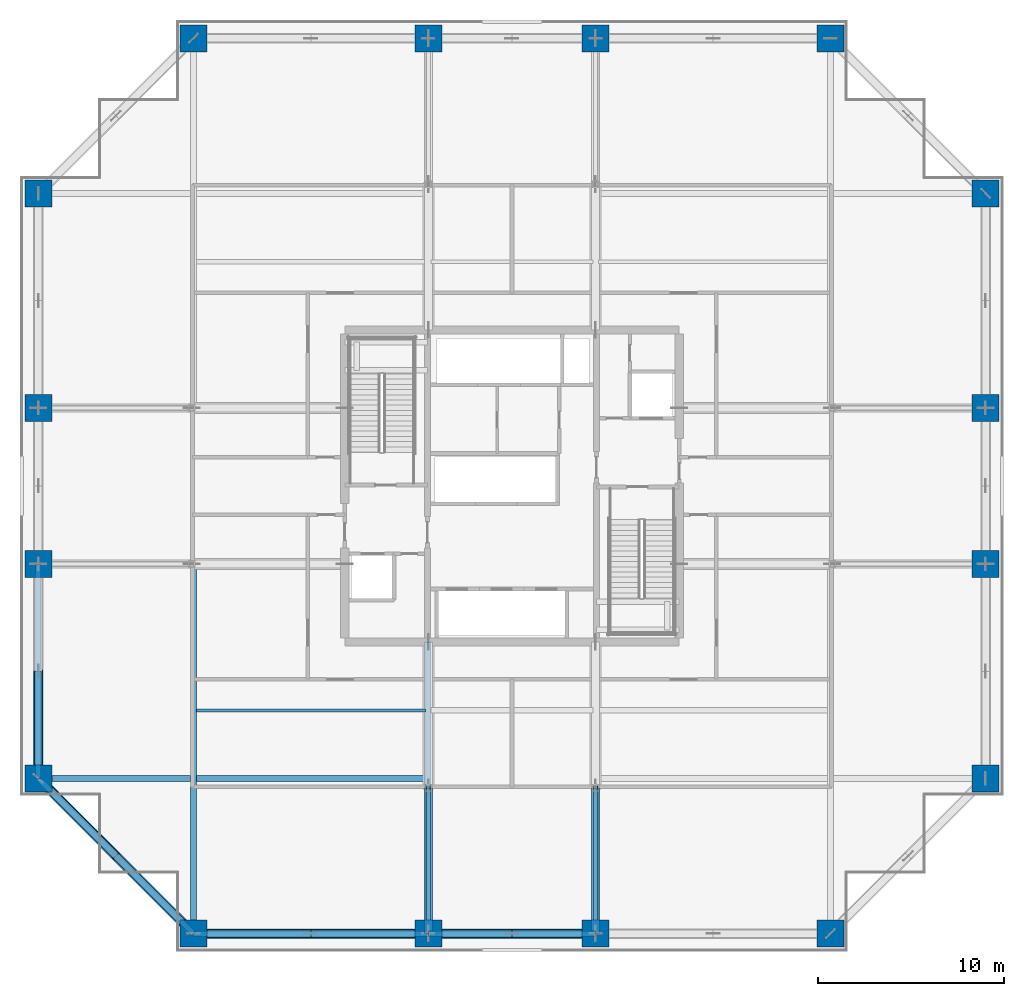
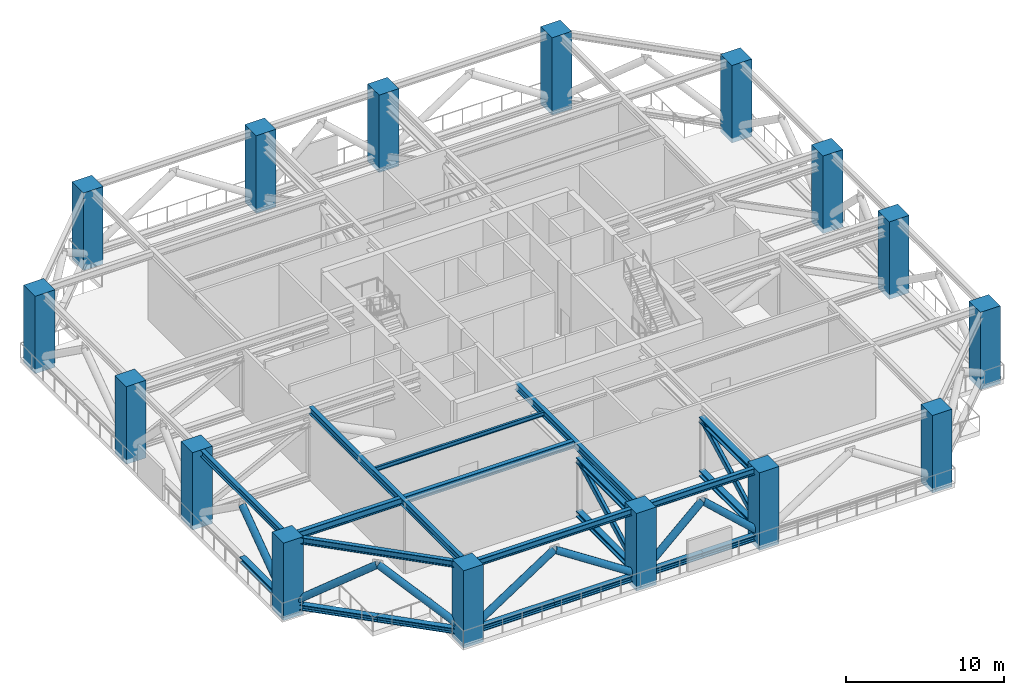
# One storey, part 1 of 21: 20 members, 16 columns, 8 beams.
"""IFC4 building model written with IfcOpenShell, lengths in metres."""

from ifc_helpers import new_model, si_unit, direction, frame, origin, origin_2d, place, context, subcontext, project, spatial, rectangle, hollow_rectangle, hollow_circle, i_section, extrude, source, transform, mapped, material, material_profile, profile_set, type_object, element, save


model = new_model("IFC4")

# Units and contexts
model_context = context("Model", 3, precision=1e-05, world=origin(), true_north=direction((0.0, 1.0)))
body_context = subcontext(model_context, "Body", "Model", "MODEL_VIEW")
ifc_project = project(units=[si_unit("LENGTHUNIT", "METRE"), si_unit("AREAUNIT", "SQUARE_METRE"), si_unit("VOLUMEUNIT", "CUBIC_METRE"), si_unit("PLANEANGLEUNIT", "RADIAN"), si_unit("MASSUNIT", "GRAM", prefix="KILO")], contexts=[model_context])

# Site, building, storey
site_placement = place(None, origin())
site = spatial("IfcSite", under=ifc_project, at=site_placement, CompositionType="ELEMENT")
building_placement = place(site_placement, origin())
building = spatial("IfcBuilding", under=site, at=building_placement, Name="Serunith Strait Residences", CompositionType="ELEMENT")
storey_placement = place(building_placement, frame((0.0, 0.0, 109.199951171875)))
storey = spatial("IfcBuildingStorey", under=building, at=storey_placement, Name="L27", CompositionType="ELEMENT", Elevation=109.199951171875)

# Columns
ifc_material_1 = material(Name="Concrete C90/105", Category="concrete")
ifc_material_profile_1 = material_profile(ifc_material_1, rectangle(XDim=1.449951171875, YDim=1.449951171875, at=origin_2d()), Name="RC 1450x1450")
ifc_profile_set_1 = profile_set([ifc_material_profile_1], Name="Concrete C90/105")
column_type = type_object("IfcColumnType", Name="COL-RC-1450", PredefinedType="COLUMN", material=ifc_profile_set_1)
shared_shape_1 = source(origin(), body_context, "Body", "SweptSolid", [
    extrude(rectangle(XDim=1.449951171875, YDim=1.449951171875, at=origin_2d()), origin(), (0.0, 0.0, 1.0), 6.0),
])
for number, where, z_axis, x_axis, name in (
    (1, (15.25, 1.10009765625, -0.35986328125), (0.0, 0.0, 1.0), (1.0, 0.0, 0.0), "L27 Tower Mega-Column TC-S1"),
    (2, (27.89990234375, 1.10009765625, -0.35986328125), (0.0, 0.0, 1.0), (1.0, 0.0, 0.0), "L27 Tower Mega-Column TC-S2"),
    (3, (36.89990234375, 1.10009765625, -0.35986328125), (0.0, 0.0, 1.0), (1.0, 0.0, 0.0), "L27 Tower Mega-Column TC-S3"),
    (4, (49.550048828125, 1.10009765625, -0.35986328125), (0.0, 0.0, 1.0), (1.0, 0.0, 0.0), "L27 Tower Mega-Column TC-S4"),
    (5, (15.25, 49.300048828125, -0.35986328125), (0.0, 0.0, 1.0), (1.0, 0.0, 0.0), "L27 Tower Mega-Column TC-N1"),
    (6, (27.89990234375, 49.300048828125, -0.35986328125), (0.0, 0.0, 1.0), (1.0, 0.0, 0.0), "L27 Tower Mega-Column TC-N2"),
    (7, (36.89990234375, 49.300048828125, -0.35986328125), (0.0, 0.0, 1.0), (1.0, 0.0, 0.0), "L27 Tower Mega-Column TC-N3"),
    (8, (49.550048828125, 49.300048828125, -0.35986328125), (0.0, 0.0, 1.0), (1.0, 0.0, 0.0), "L27 Tower Mega-Column TC-N4"),
    (9, (57.89990234375, 9.449951171875, -0.35986328125), (0.0, 0.0, 1.0), (1.0, 0.0, 0.0), "L27 Tower Mega-Column TC-E1"),
    (10, (57.89990234375, 21.0, -0.35986328125), (0.0, 0.0, 1.0), (1.0, 0.0, 0.0), "L27 Tower Mega-Column TC-E2"),
    (11, (57.89990234375, 29.39990234375, -0.35986328125), (0.0, 0.0, 1.0), (1.0, 0.0, 0.0), "L27 Tower Mega-Column TC-E3"),
    (12, (57.89990234375, 40.949951171875, -0.35986328125), (0.0, 0.0, 1.0), (1.0, 0.0, 0.0), "L27 Tower Mega-Column TC-E4"),
    (13, (6.89990234375, 9.449951171875, -0.35986328125), (0.0, 0.0, 1.0), (1.0, 0.0, 0.0), "L27 Tower Mega-Column TC-W1"),
    (14, (6.89990234375, 21.0, -0.35986328125), (0.0, 0.0, 1.0), (1.0, 0.0, 0.0), "L27 Tower Mega-Column TC-W2"),
    (15, (6.89990234375, 29.39990234375, -0.35986328125), (0.0, 0.0, 1.0), (1.0, 0.0, 0.0), "L27 Tower Mega-Column TC-W3"),
    (16, (6.89990234375, 40.949951171875, -0.35986328125), (0.0, 0.0, 1.0), (1.0, 0.0, 0.0), "L27 Tower Mega-Column TC-W4"),
):
    element("IfcColumn", number, at=place(storey_placement, frame(where, z_axis=z_axis, x_axis=x_axis)), inside=storey, type_object=column_type, Name=name, PredefinedType="COLUMN", context=body_context, shape_type="MappedRepresentation", body=[
        mapped(shared_shape_1, transform((0.0, 0.0, 0.0), scale=1.0)),
    ])

# Beams
ifc_material_2 = material(Name="Steel S355J2", Category="steel")
ifc_material_profile_2 = material_profile(ifc_material_2, i_section(OverallWidth=0.300048828125, OverallDepth=0.550048828125, WebThickness=0.014892578125, FlangeThickness=0.029052734375, FilletRadius=0.027099609375, at=origin_2d()), Name="HEB 550")
ifc_profile_set_2 = profile_set([ifc_material_profile_2], Name="Steel S355J2")
beam_type_1 = type_object("IfcBeamType", Name="BM-HEB550", PredefinedType="BEAM", material=ifc_profile_set_2)
shared_shape_2 = source(origin(), body_context, "Body", "SweptSolid", [
    extrude(i_section(OverallWidth=0.300048828125, OverallDepth=0.550048828125, WebThickness=0.014892578125, FlangeThickness=0.029052734375, FilletRadius=0.027099609375, at=origin_2d()), origin(), (0.0, 0.0, 1.0), 15.699951171875),
])
beam_1_placement = place(storey_placement, frame((27.89990234375, 16.800048828125, 5.362060546875), z_axis=(0.0, -1.0, 0.0), x_axis=(1.0, 0.0, 0.0)))
element("IfcBeam", 17, at=beam_1_placement, inside=storey, type_object=beam_type_1, Name="L27 Primary Floor Girder TC-S2", PredefinedType="BEAM", context=body_context, shape_type="MappedRepresentation", body=[
    mapped(shared_shape_2, transform((0.0, 0.0, 0.0), scale=1.0)),
])
shared_shape_3 = source(origin(), body_context, "Body", "SweptSolid", [
    extrude(i_section(OverallWidth=0.300048828125, OverallDepth=0.550048828125, WebThickness=0.014892578125, FlangeThickness=0.029052734375, FilletRadius=0.027099609375, at=origin_2d()), origin(), (0.0, 0.0, 1.0), 19.89990234375),
])
beam_2_placement = place(storey_placement, frame((15.25, 21.0, 5.362060546875), z_axis=(0.0, -1.0, 0.0), x_axis=(1.0, 0.0, 0.0)))
element("IfcBeam", 18, at=beam_2_placement, inside=storey, type_object=beam_type_1, Name="L27 Orthogonal Corner Girder TC-S1", PredefinedType="BEAM", context=body_context, shape_type="MappedRepresentation", body=[
    mapped(shared_shape_3, transform((0.0, 0.0, 0.0), scale=1.0)),
])
shared_shape_4 = source(origin(), body_context, "Body", "SweptSolid", [
    extrude(i_section(OverallWidth=0.300048828125, OverallDepth=0.550048828125, WebThickness=0.014892578125, FlangeThickness=0.029052734375, FilletRadius=0.027099609375, at=origin_2d()), origin(), (0.0, 0.0, 1.0), 21.0),
])
beam_3_placement = place(storey_placement, frame((27.89990234375, 9.449951171875, 5.362060546875), z_axis=(-1.0, 0.0, 0.0), x_axis=(0.0, -1.0, 0.0)))
element("IfcBeam", 19, at=beam_3_placement, inside=storey, type_object=beam_type_1, Name="L27 Orthogonal Corner Girder TC-W1", PredefinedType="BEAM", context=body_context, shape_type="MappedRepresentation", body=[
    mapped(shared_shape_4, transform((0.0, 0.0, 0.0), scale=1.0)),
])
ifc_material_profile_3 = material_profile(ifc_material_2, i_section(OverallWidth=0.300048828125, OverallDepth=0.5, WebThickness=0.014404296875, FlangeThickness=0.028076171875, FilletRadius=0.027099609375, at=origin_2d()), Name="HEB 500")
ifc_profile_set_3 = profile_set([ifc_material_profile_3], Name="Steel S355J2")
beam_type_2 = type_object("IfcBeamType", Name="BM-HEB500", PredefinedType="BEAM", material=ifc_profile_set_3)
shared_shape_5 = source(origin(), body_context, "Body", "SweptSolid", [
    extrude(i_section(OverallWidth=0.300048828125, OverallDepth=0.5, WebThickness=0.014404296875, FlangeThickness=0.028076171875, FilletRadius=0.027099609375, at=origin_2d()), origin(), (0.0, 0.0, 1.0), 12.64990234375),
])
beam_4_placement = place(storey_placement, frame((15.25, 1.10009765625, 5.386962890625), z_axis=(1.0, 0.0, 0.0), x_axis=(0.0, 1.0, 0.0)))
element("IfcBeam", 20, at=beam_4_placement, inside=storey, type_object=beam_type_2, Name="L27 Perimeter Ring Beam 01", PredefinedType="BEAM", context=body_context, shape_type="MappedRepresentation", body=[
    mapped(shared_shape_5, transform((0.0, 0.0, 0.0), scale=1.0)),
])
shared_shape_6 = source(origin(), body_context, "Body", "SweptSolid", [
    extrude(i_section(OverallWidth=0.300048828125, OverallDepth=0.5, WebThickness=0.014404296875, FlangeThickness=0.028076171875, FilletRadius=0.027099609375, at=origin_2d()), origin(), (0.0, 0.0, 1.0), 9.0),
])
beam_5_placement = place(storey_placement, frame((27.89990234375, 1.10009765625, 5.386962890625), z_axis=(1.0, 0.0, 0.0), x_axis=(0.0, 1.0, 0.0)))
element("IfcBeam", 21, at=beam_5_placement, inside=storey, type_object=beam_type_2, Name="L27 Perimeter Ring Beam 02", PredefinedType="BEAM", context=body_context, shape_type="MappedRepresentation", body=[
    mapped(shared_shape_6, transform((0.0, 0.0, 0.0), scale=1.0)),
])
shared_shape_7 = source(origin(), body_context, "Body", "SweptSolid", [
    extrude(i_section(OverallWidth=0.300048828125, OverallDepth=0.5, WebThickness=0.014404296875, FlangeThickness=0.028076171875, FilletRadius=0.027099609375, at=origin_2d()), origin(), (0.0, 0.0, 1.0), 11.80859375),
])
beam_6_placement = place(storey_placement, frame((6.89990234375, 9.449951171875, 5.386962890625), z_axis=(0.707117118476, -0.707096443746, 0.0), x_axis=(0.707096443746, 0.707117118476, 0.0)))
element("IfcBeam", 22, at=beam_6_placement, inside=storey, type_object=beam_type_2, Name="L27 Perimeter Ring Beam 16", PredefinedType="BEAM", context=body_context, shape_type="MappedRepresentation", body=[
    mapped(shared_shape_7, transform((0.0, 0.0, 0.0), scale=1.0)),
])
shared_shape_8 = source(origin(), body_context, "Body", "SweptSolid", [
    extrude(i_section(OverallWidth=0.300048828125, OverallDepth=0.5, WebThickness=0.014404296875, FlangeThickness=0.028076171875, FilletRadius=0.027099609375, at=origin_2d()), origin(), (0.0, 0.0, 1.0), 11.550048828125),
])
beam_7_placement = place(storey_placement, frame((6.89990234375, 21.0, 5.386962890625), z_axis=(0.0, -1.0, 0.0), x_axis=(1.0, 0.0, 0.0)))
element("IfcBeam", 23, at=beam_7_placement, inside=storey, type_object=beam_type_2, Name="L27 Perimeter Ring Beam 15", PredefinedType="BEAM", context=body_context, shape_type="MappedRepresentation", body=[
    mapped(shared_shape_8, transform((0.0, 0.0, 0.0), scale=1.0)),
])
ifc_material_profile_4 = material_profile(ifc_material_2, i_section(OverallWidth=0.159912109375, OverallDepth=0.330078125, WebThickness=0.007568359375, FlangeThickness=0.011474609375, FilletRadius=0.01806640625, at=origin_2d()), Name="IPE 330")
ifc_profile_set_4 = profile_set([ifc_material_profile_4], Name="Steel S355J2")
beam_type_3 = type_object("IfcBeamType", Name="BM-IPE330", PredefinedType="JOIST", material=ifc_profile_set_4)
shared_shape_9 = source(origin(), body_context, "Body", "SweptSolid", [
    extrude(i_section(OverallWidth=0.159912109375, OverallDepth=0.330078125, WebThickness=0.007568359375, FlangeThickness=0.011474609375, FilletRadius=0.01806640625, at=origin_2d()), origin(), (0.0, 0.0, 1.0), 12.35009765625),
])
beam_8_placement = place(storey_placement, frame((15.39990234375, 13.125, 5.47216796875), z_axis=(1.0, 0.0, 0.0), x_axis=(0.0, 1.0, 0.0)))
element("IfcBeam", 24, at=beam_8_placement, inside=storey, type_object=beam_type_3, Name="L27 Composite Floor Joist 01", PredefinedType="JOIST", context=body_context, shape_type="MappedRepresentation", body=[
    mapped(shared_shape_9, transform((0.0, 0.0, 0.0), scale=1.0)),
])

# Members
ifc_material_3 = material(Name="Steel S460M", Category="steel")
ifc_material_profile_5 = material_profile(ifc_material_3, i_section(OverallWidth=0.41796875, OverallDepth=0.455078125, WebThickness=0.0419921875, FlangeThickness=0.067626953125, FilletRadius=0.014892578125, at=origin_2d()), Name="HD 400x551")
ifc_profile_set_5 = profile_set([ifc_material_profile_5], Name="Steel S460M")
member_type_1 = type_object("IfcMemberType", Name="MBR-CHORD-HD551", PredefinedType="CHORD", material=ifc_profile_set_5)
shared_shape_10 = source(origin(), body_context, "Body", "SweptSolid", [
    extrude(i_section(OverallWidth=0.41796875, OverallDepth=0.455078125, WebThickness=0.0419921875, FlangeThickness=0.067626953125, FilletRadius=0.014892578125, at=origin_2d()), origin(), (0.0, 0.0, 1.0), 7.849853515625),
])
for number, where, z_axis, x_axis, name in (
    (25, (27.89990234375, 8.949951171875, 0.25), (0.0, -1.0, 0.0), (1.0, 0.0, 0.0), "L27 Outrigger Arm 1 Bottom Chord 2"),
    (26, (27.89990234375, 8.949951171875, 4.39013671875), (0.0, -1.0, 0.0), (1.0, 0.0, 0.0), "L27 Outrigger Arm 1 Top Chord 2"),
    (27, (36.89990234375, 8.949951171875, 0.25), (0.0, -1.0, 0.0), (1.0, 0.0, 0.0), "L27 Outrigger Arm 2 Bottom Chord 2"),
    (28, (36.89990234375, 8.949951171875, 4.39013671875), (0.0, -1.0, 0.0), (1.0, 0.0, 0.0), "L27 Outrigger Arm 2 Top Chord 2"),
):
    element("IfcMember", number, at=place(storey_placement, frame(where, z_axis=z_axis, x_axis=x_axis)), inside=storey, type_object=member_type_1, Name=name, PredefinedType="CHORD", context=body_context, shape_type="MappedRepresentation", body=[
        mapped(shared_shape_10, transform((0.0, 0.0, 0.0), scale=1.0)),
    ])
ifc_material_profile_6 = material_profile(ifc_material_3, hollow_rectangle(XDim=0.25, YDim=0.449951171875, WallThickness=0.01611328125, InnerFilletRadius=0.02392578125, OuterFilletRadius=0.0400390625, at=origin_2d()), Name="RHS 450x250x16")
ifc_profile_set_6 = profile_set([ifc_material_profile_6], Name="Steel S460M")
member_type_2 = type_object("IfcMemberType", Name="MBR-BRACE-RHS450", PredefinedType="BRACE", material=ifc_profile_set_6)
shared_shape_11 = source(origin(), body_context, "Body", "SweptSolid", [
    extrude(hollow_rectangle(XDim=0.25, YDim=0.449951171875, WallThickness=0.01611328125, InnerFilletRadius=0.02392578125, OuterFilletRadius=0.0400390625, at=origin_2d()), origin(), (0.0, 0.0, 1.0), 8.874755859375),
])
for number, where, z_axis, x_axis, name in (
    (29, (27.89990234375, 8.949951171875, 4.39013671875), (0.0, -0.884516886434, -0.466508175291), (1.0, 0.0, 0.0), "L27 Outrigger Arm 1 Outer Diagonal"),
    (30, (36.89990234375, 8.949951171875, 4.39013671875), (0.0, -0.884516886434, -0.466508175291), (1.0, 0.0, 0.0), "L27 Outrigger Arm 2 Outer Diagonal"),
):
    element("IfcMember", number, at=place(storey_placement, frame(where, z_axis=z_axis, x_axis=x_axis)), inside=storey, type_object=member_type_2, Name=name, PredefinedType="BRACE", context=body_context, shape_type="MappedRepresentation", body=[
        mapped(shared_shape_11, transform((0.0, 0.0, 0.0), scale=1.0)),
    ])
ifc_material_profile_7 = material_profile(ifc_material_3, i_section(OverallWidth=0.406005859375, OverallDepth=0.416015625, WebThickness=0.02978515625, FlangeThickness=0.048095703125, FilletRadius=0.014892578125, at=origin_2d()), Name="HD 400x382")
ifc_profile_set_7 = profile_set([ifc_material_profile_7], Name="Steel S460M")
member_type_3 = type_object("IfcMemberType", Name="MBR-CHORD-HD382", PredefinedType="CHORD", material=ifc_profile_set_7)
shared_shape_12 = source(origin(), body_context, "Body", "SweptSolid", [
    extrude(i_section(OverallWidth=0.406005859375, OverallDepth=0.416015625, WebThickness=0.02978515625, FlangeThickness=0.048095703125, FilletRadius=0.014892578125, at=origin_2d()), origin(), (0.0, 0.0, 1.0), 6.324951171875),
])
for number, where, z_axis, x_axis, name in (
    (31, (15.25, 1.10009765625, 0.25), (1.0, 0.0, 0.0), (0.0, 1.0, 0.0), "L27 Belt Truss Bay 01 Chord A"),
    (32, (21.574951171875, 1.10009765625, 0.25), (1.0, 0.0, 0.0), (0.0, 1.0, 0.0), "L27 Belt Truss Bay 01 Chord B"),
):
    element("IfcMember", number, at=place(storey_placement, frame(where, z_axis=z_axis, x_axis=x_axis)), inside=storey, type_object=member_type_3, Name=name, PredefinedType="CHORD", context=body_context, shape_type="MappedRepresentation", body=[
        mapped(shared_shape_12, transform((0.0, 0.0, 0.0), scale=1.0)),
    ])
ifc_material_profile_8 = material_profile(ifc_material_3, hollow_circle(Radius=0.25390625, WallThickness=0.02001953125, at=origin_2d()), Name="CHS 508x20")
ifc_profile_set_8 = profile_set([ifc_material_profile_8], Name="Steel S460M")
member_type_4 = type_object("IfcMemberType", Name="MBR-DIAG-CHS508", PredefinedType="BRACE", material=ifc_profile_set_8)
shared_shape_13 = source(origin(), body_context, "Body", "SweptSolid", [
    extrude(hollow_circle(Radius=0.25390625, WallThickness=0.02001953125, at=origin_2d()), origin(), (0.0, 0.0, 1.0), 7.5595703125),
])
for number, where, z_axis, x_axis, name in (
    (33, (15.25, 1.10009765625, 0.25), (0.836691292063, 0.0, 0.547674795646), (0.0, 1.0, 0.0), "L27 Belt Truss Bay 01 Diagonal 1"),
    (34, (27.89990234375, 1.10009765625, 0.25), (-0.836691292063, 0.0, 0.547674795646), (0.0, -1.0, 0.0), "L27 Belt Truss Bay 01 Diagonal 2"),
):
    element("IfcMember", number, at=place(storey_placement, frame(where, z_axis=z_axis, x_axis=x_axis)), inside=storey, type_object=member_type_4, Name=name, PredefinedType="BRACE", context=body_context, shape_type="MappedRepresentation", body=[
        mapped(shared_shape_13, transform((0.0, 0.0, 0.0), scale=1.0)),
    ])
shared_shape_14 = source(origin(), body_context, "Body", "SweptSolid", [
    extrude(i_section(OverallWidth=0.406005859375, OverallDepth=0.416015625, WebThickness=0.02978515625, FlangeThickness=0.048095703125, FilletRadius=0.014892578125, at=origin_2d()), origin(), (0.0, 0.0, 1.0), 4.5),
])
for number, where, z_axis, x_axis, name in (
    (35, (27.89990234375, 1.10009765625, 0.25), (1.0, 0.0, 0.0), (0.0, 1.0, 0.0), "L27 Belt Truss Bay 02 Chord A"),
    (36, (32.39990234375, 1.10009765625, 0.25), (1.0, 0.0, 0.0), (0.0, 1.0, 0.0), "L27 Belt Truss Bay 02 Chord B"),
):
    element("IfcMember", number, at=place(storey_placement, frame(where, z_axis=z_axis, x_axis=x_axis)), inside=storey, type_object=member_type_3, Name=name, PredefinedType="CHORD", context=body_context, shape_type="MappedRepresentation", body=[
        mapped(shared_shape_14, transform((0.0, 0.0, 0.0), scale=1.0)),
    ])
shared_shape_15 = source(origin(), body_context, "Body", "SweptSolid", [
    extrude(hollow_circle(Radius=0.25390625, WallThickness=0.02001953125, at=origin_2d()), origin(), (0.0, 0.0, 1.0), 6.11474609375),
])
for number, where, z_axis, x_axis, name in (
    (37, (27.89990234375, 1.10009765625, 0.25), (0.735919871074, 0.0, 0.677068640064), (0.0, 1.0, 0.0), "L27 Belt Truss Bay 02 Diagonal 1"),
    (38, (36.89990234375, 1.10009765625, 0.25), (-0.735919871074, 0.0, 0.677068640064), (0.0, -1.0, 0.0), "L27 Belt Truss Bay 02 Diagonal 2"),
):
    element("IfcMember", number, at=place(storey_placement, frame(where, z_axis=z_axis, x_axis=x_axis)), inside=storey, type_object=member_type_4, Name=name, PredefinedType="BRACE", context=body_context, shape_type="MappedRepresentation", body=[
        mapped(shared_shape_15, transform((0.0, 0.0, 0.0), scale=1.0)),
    ])
shared_shape_16 = source(origin(), body_context, "Body", "SweptSolid", [
    extrude(i_section(OverallWidth=0.406005859375, OverallDepth=0.416015625, WebThickness=0.02978515625, FlangeThickness=0.048095703125, FilletRadius=0.014892578125, at=origin_2d()), origin(), (0.0, 0.0, 1.0), 5.904296875),
])
for number, where, z_axis, x_axis, name in (
    (39, (6.89990234375, 9.449951171875, 0.25), (0.707106781187, -0.707106781187, 0.0), (0.707106781187, 0.707106781187, 0.0), "L27 Belt Truss Bay 16 Chord A"),
    (40, (11.074951171875, 5.27490234375, 0.25), (0.707127455917, -0.707086105852, 0.0), (0.707086105852, 0.707127455917, 0.0), "L27 Belt Truss Bay 16 Chord B"),
):
    element("IfcMember", number, at=place(storey_placement, frame(where, z_axis=z_axis, x_axis=x_axis)), inside=storey, type_object=member_type_3, Name=name, PredefinedType="CHORD", context=body_context, shape_type="MappedRepresentation", body=[
        mapped(shared_shape_16, transform((0.0, 0.0, 0.0), scale=1.0)),
    ])
shared_shape_17 = source(origin(), body_context, "Body", "SweptSolid", [
    extrude(hollow_circle(Radius=0.25390625, WallThickness=0.02001953125, at=origin_2d()), origin(), (0.0, 0.0, 1.0), 7.211181640625),
])
for number, where, z_axis, x_axis, name in (
    (41, (6.89990234375, 9.449951171875, 0.25), (0.578959527894, -0.578959527894, 0.574118219638), (0.707106781187, 0.707106781187, 0.0), "L27 Belt Truss Bay 16 Diagonal 1"),
    (42, (15.25, 1.10009765625, 0.25), (-0.578970875995, 0.578937020029, 0.574129472845), (-0.707086105852, -0.707127455917, 0.0), "L27 Belt Truss Bay 16 Diagonal 2"),
):
    element("IfcMember", number, at=place(storey_placement, frame(where, z_axis=z_axis, x_axis=x_axis)), inside=storey, type_object=member_type_4, Name=name, PredefinedType="BRACE", context=body_context, shape_type="MappedRepresentation", body=[
        mapped(shared_shape_17, transform((0.0, 0.0, 0.0), scale=1.0)),
    ])
shared_shape_18 = source(origin(), body_context, "Body", "SweptSolid", [
    extrude(i_section(OverallWidth=0.406005859375, OverallDepth=0.416015625, WebThickness=0.02978515625, FlangeThickness=0.048095703125, FilletRadius=0.014892578125, at=origin_2d()), origin(), (0.0, 0.0, 1.0), 5.775146484375),
])
member_1_placement = place(storey_placement, frame((6.89990234375, 15.22509765625, 0.25), z_axis=(0.0, -1.0, 0.0), x_axis=(1.0, 0.0, 0.0)))
element("IfcMember", 43, at=member_1_placement, inside=storey, type_object=member_type_3, Name="L27 Belt Truss Bay 15 Chord B", PredefinedType="CHORD", context=body_context, shape_type="MappedRepresentation", body=[
    mapped(shared_shape_18, transform((0.0, 0.0, 0.0), scale=1.0)),
])
shared_shape_19 = source(origin(), body_context, "Body", "SweptSolid", [
    extrude(hollow_circle(Radius=0.25390625, WallThickness=0.02001953125, at=origin_2d()), origin(), (0.0, 0.0, 1.0), 7.10595703125),
])
member_2_placement = place(storey_placement, frame((6.89990234375, 9.449951171875, 0.25), z_axis=(0.0, 0.812731713217, 0.582638105801), x_axis=(-1.0, 0.0, 0.0)))
element("IfcMember", 44, at=member_2_placement, inside=storey, type_object=member_type_4, Name="L27 Belt Truss Bay 15 Diagonal 2", PredefinedType="BRACE", context=body_context, shape_type="MappedRepresentation", body=[
    mapped(shared_shape_19, transform((0.0, 0.0, 0.0), scale=1.0)),
])

save(model, "model.ifc")
